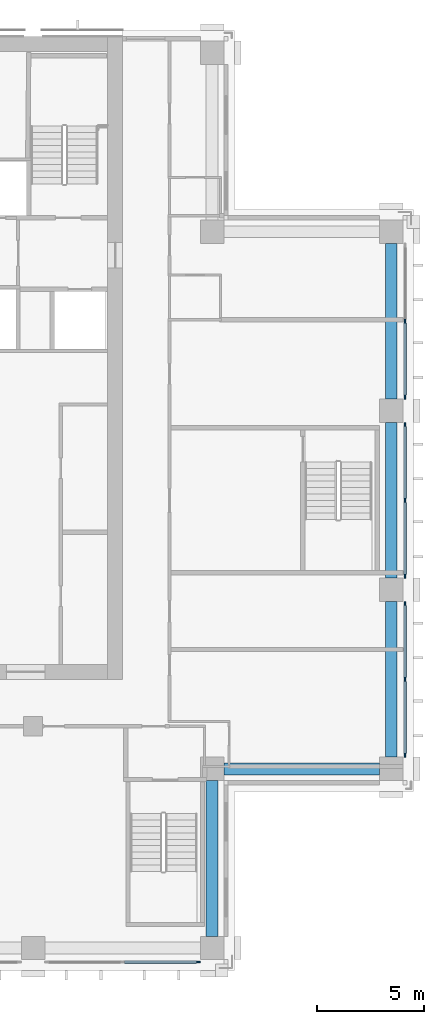
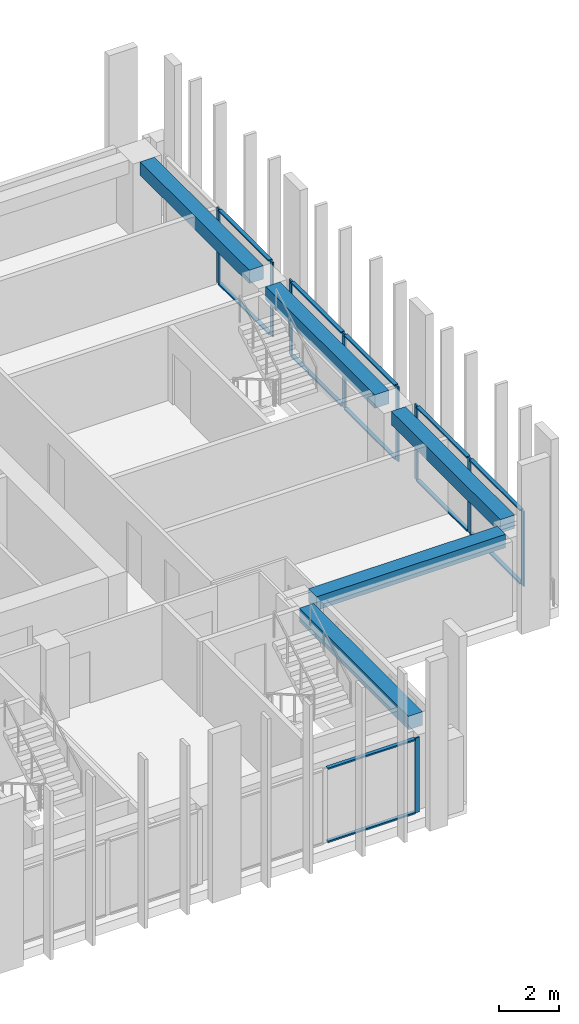
# One storey, part 5 of 16: 21 members, 5 beams, 4 elements without a shape of their own.
"""IFC4 building model written with IfcOpenShell, lengths in metres."""

from ifc_helpers import new_model, si_unit, direction, frame, origin, origin_2d, place, context, subcontext, project, spatial, rectangle, extrude, material, material_profile, profile_set, type_object, element, aggregate, save


model = new_model("IFC4")

# Units and contexts
model_context = context("Model", 3, precision=1e-05, world=origin(), true_north=direction((0.0, 1.0)))
body_context = subcontext(model_context, "Body", "Model", "MODEL_VIEW")
ifc_project = project(units=[si_unit("LENGTHUNIT", "METRE"), si_unit("AREAUNIT", "SQUARE_METRE"), si_unit("VOLUMEUNIT", "CUBIC_METRE"), si_unit("PLANEANGLEUNIT", "RADIAN"), si_unit("MASSUNIT", "GRAM", prefix="KILO")], contexts=[model_context])

# Site, building, storey
site_placement = place(None, origin())
site = spatial("IfcSite", under=ifc_project, at=site_placement, CompositionType="ELEMENT")
building_placement = place(site_placement, origin())
building = spatial("IfcBuilding", under=site, at=building_placement, Name="Vermilion Ogive Tower", CompositionType="ELEMENT")
storey_placement = place(building_placement, frame((0.0, 0.0, 143.449951171875)))
storey = spatial("IfcBuildingStorey", under=building, at=storey_placement, Name="L36", CompositionType="ELEMENT", Elevation=143.449951171875)

# Curtain wall, member
ifc_material_1 = material(Name="Low-iron laminated glazing in aluminium frame", Category="aluminium")
curtain_wall_type = type_object("IfcCurtainWallType", Name="Curtain wall CW7", PredefinedType="NOTDEFINED", material=ifc_material_1)
curtain_wall_1_placement = place(storey_placement, origin())
curtain_wall_1 = element("IfcCurtainWall", 1, at=curtain_wall_1_placement, inside=storey, type_object=curtain_wall_type, Name="Glazed skin S3", PredefinedType="NOTDEFINED")
ifc_material_2 = material(Name="Aluminium mullion", Category="aluminium")
ifc_material_profile_1 = material_profile(ifc_material_2, rectangle(XDim=0.06005859375, YDim=0.179931640625, at=origin_2d()), Name="AL 60x180")
ifc_profile_set_1 = profile_set([ifc_material_profile_1], Name="Aluminium mullion")
member_type_1 = type_object("IfcMemberType", Name="CW7 mullion 60x180", PredefinedType="MULLION", material=ifc_profile_set_1)
member_1_placement = place(storey_placement, frame((11.9599609375, -21.64990234375, 0.0), z_axis=(0.0, 0.0, 1.0), x_axis=(0.0, 1.0, 0.0)))
member_1 = element("IfcMember", 2, at=member_1_placement, type_object=member_type_1, Name="CW7-S3 mullion 3", PredefinedType="MULLION", context=body_context, shape_type="SweptSolid", body=[
    extrude(rectangle(XDim=0.06005859375, YDim=0.179931640625, at=origin_2d()), origin(), (0.0, 0.0, 1.0), 3.050048828125),
])

# Curtain wall, members
curtain_wall_2_placement = place(storey_placement, origin())
curtain_wall_2 = element("IfcCurtainWall", 3, at=curtain_wall_2_placement, inside=storey, type_object=curtain_wall_type, Name="Glazed skin E1", PredefinedType="NOTDEFINED")
member_2_placement = place(storey_placement, frame((21.64990234375, -11.9599609375, 0.0), z_axis=(0.0, 0.0, 1.0), x_axis=(-1.0, 0.0, 0.0)))
member_2 = element("IfcMember", 4, at=member_2_placement, type_object=member_type_1, Name="CW7-E1 mullion 1", PredefinedType="MULLION", context=body_context, shape_type="SweptSolid", body=[
    extrude(rectangle(XDim=0.06005859375, YDim=0.179931640625, at=origin_2d()), origin(), (0.0, 0.0, 1.0), 3.050048828125),
])
member_3_placement = place(storey_placement, frame((21.64990234375, -8.39990234375, 0.0), z_axis=(0.0, 0.0, 1.0), x_axis=(-1.0, 0.0, 0.0)))
member_3 = element("IfcMember", 5, at=member_3_placement, type_object=member_type_1, Name="CW7-E1 mullion 2", PredefinedType="MULLION", context=body_context, shape_type="SweptSolid", body=[
    extrude(rectangle(XDim=0.06005859375, YDim=0.179931640625, at=origin_2d()), origin(), (0.0, 0.0, 1.0), 3.050048828125),
])
member_4_placement = place(storey_placement, frame((21.64990234375, -4.840087890625, 0.0), z_axis=(0.0, 0.0, 1.0), x_axis=(-1.0, 0.0, 0.0)))
member_4 = element("IfcMember", 6, at=member_4_placement, type_object=member_type_1, Name="CW7-E1 mullion 3", PredefinedType="MULLION", context=body_context, shape_type="SweptSolid", body=[
    extrude(rectangle(XDim=0.06005859375, YDim=0.179931640625, at=origin_2d()), origin(), (0.0, 0.0, 1.0), 3.050048828125),
])

curtain_wall_3_placement = place(storey_placement, origin())
curtain_wall_3 = element("IfcCurtainWall", 7, at=curtain_wall_3_placement, inside=storey, type_object=curtain_wall_type, Name="Glazed skin E2", PredefinedType="NOTDEFINED")
member_5_placement = place(storey_placement, frame((21.64990234375, -3.56005859375, 0.0), z_axis=(0.0, 0.0, 1.0), x_axis=(-1.0, 0.0, 0.0)))
member_5 = element("IfcMember", 8, at=member_5_placement, type_object=member_type_1, Name="CW7-E2 mullion 1", PredefinedType="MULLION", context=body_context, shape_type="SweptSolid", body=[
    extrude(rectangle(XDim=0.06005859375, YDim=0.179931640625, at=origin_2d()), origin(), (0.0, 0.0, 1.0), 3.050048828125),
])
member_6_placement = place(storey_placement, frame((21.64990234375, 0.0, 0.0), z_axis=(0.0, 0.0, 1.0), x_axis=(-1.0, 0.0, 0.0)))
member_6 = element("IfcMember", 9, at=member_6_placement, type_object=member_type_1, Name="CW7-E2 mullion 2", PredefinedType="MULLION", context=body_context, shape_type="SweptSolid", body=[
    extrude(rectangle(XDim=0.06005859375, YDim=0.179931640625, at=origin_2d()), origin(), (0.0, 0.0, 1.0), 3.050048828125),
])
member_7_placement = place(storey_placement, frame((21.64990234375, 3.56005859375, 0.0), z_axis=(0.0, 0.0, 1.0), x_axis=(-1.0, 0.0, 0.0)))
member_7 = element("IfcMember", 10, at=member_7_placement, type_object=member_type_1, Name="CW7-E2 mullion 3", PredefinedType="MULLION", context=body_context, shape_type="SweptSolid", body=[
    extrude(rectangle(XDim=0.06005859375, YDim=0.179931640625, at=origin_2d()), origin(), (0.0, 0.0, 1.0), 3.050048828125),
])

curtain_wall_4_placement = place(storey_placement, origin())
curtain_wall_4 = element("IfcCurtainWall", 11, at=curtain_wall_4_placement, inside=storey, type_object=curtain_wall_type, Name="Glazed skin E3", PredefinedType="NOTDEFINED")
member_8_placement = place(storey_placement, frame((21.64990234375, 4.840087890625, 0.0), z_axis=(0.0, 0.0, 1.0), x_axis=(-1.0, 0.0, 0.0)))
member_8 = element("IfcMember", 12, at=member_8_placement, type_object=member_type_1, Name="CW7-E3 mullion 1", PredefinedType="MULLION", context=body_context, shape_type="SweptSolid", body=[
    extrude(rectangle(XDim=0.06005859375, YDim=0.179931640625, at=origin_2d()), origin(), (0.0, 0.0, 1.0), 3.050048828125),
])
member_9_placement = place(storey_placement, frame((21.64990234375, 8.39990234375, 0.0), z_axis=(0.0, 0.0, 1.0), x_axis=(-1.0, 0.0, 0.0)))
member_9 = element("IfcMember", 13, at=member_9_placement, type_object=member_type_1, Name="CW7-E3 mullion 2", PredefinedType="MULLION", context=body_context, shape_type="SweptSolid", body=[
    extrude(rectangle(XDim=0.06005859375, YDim=0.179931640625, at=origin_2d()), origin(), (0.0, 0.0, 1.0), 3.050048828125),
])

# Member
ifc_material_3 = material(Name="Aluminium transom", Category="aluminium")
ifc_material_profile_2 = material_profile(ifc_material_3, rectangle(XDim=0.139892578125, YDim=0.06005859375, at=origin_2d()), Name="AL 60x140")
ifc_profile_set_2 = profile_set([ifc_material_profile_2], Name="Aluminium transom")
member_type_2 = type_object("IfcMemberType", Name="CW7 transom 60x140", PredefinedType="USERDEFINED", material=ifc_profile_set_2)
member_10_placement = place(storey_placement, frame((8.489990234375, -21.64990234375, 0.030029296875), z_axis=(1.0, 0.0, 0.0), x_axis=(0.0, 1.0, 0.0)))
member_10 = element("IfcMember", 14, at=member_10_placement, type_object=member_type_2, Name="CW7-S3 transom 2.1", ObjectType="TRANSOM", PredefinedType="USERDEFINED", context=body_context, shape_type="SweptSolid", body=[
    extrude(rectangle(XDim=0.139892578125, YDim=0.06005859375, at=origin_2d()), origin(), (0.0, 0.0, 1.0), 3.380126953125),
])

member_11_placement = place(storey_placement, frame((8.489990234375, -21.64990234375, 3.02001953125), z_axis=(1.0, 0.0, 0.0), x_axis=(0.0, 1.0, 0.0)))
member_11 = element("IfcMember", 15, at=member_11_placement, type_object=member_type_2, Name="CW7-S3 transom 2.2", ObjectType="TRANSOM", PredefinedType="USERDEFINED", context=body_context, shape_type="SweptSolid", body=[
    extrude(rectangle(XDim=0.139892578125, YDim=0.06005859375, at=origin_2d()), origin(), (0.0, 0.0, 1.0), 3.380126953125),
])

aggregate(curtain_wall_1, [member_1, member_10, member_11])

member_12_placement = place(storey_placement, frame((21.64990234375, -11.8701171875, 0.030029296875), z_axis=(0.0, 1.0, 0.0), x_axis=(-1.0, 0.0, 0.0)))
member_12 = element("IfcMember", 16, at=member_12_placement, type_object=member_type_2, Name="CW7-E1 transom 1.1", ObjectType="TRANSOM", PredefinedType="USERDEFINED", context=body_context, shape_type="SweptSolid", body=[
    extrude(rectangle(XDim=0.139892578125, YDim=0.06005859375, at=origin_2d()), origin(), (0.0, 0.0, 1.0), 3.380126953125),
])

member_13_placement = place(storey_placement, frame((21.64990234375, -11.8701171875, 3.02001953125), z_axis=(0.0, 1.0, 0.0), x_axis=(-1.0, 0.0, 0.0)))
member_13 = element("IfcMember", 17, at=member_13_placement, type_object=member_type_2, Name="CW7-E1 transom 1.2", ObjectType="TRANSOM", PredefinedType="USERDEFINED", context=body_context, shape_type="SweptSolid", body=[
    extrude(rectangle(XDim=0.139892578125, YDim=0.06005859375, at=origin_2d()), origin(), (0.0, 0.0, 1.0), 3.380126953125),
])

member_14_placement = place(storey_placement, frame((21.64990234375, -8.31005859375, 0.030029296875), z_axis=(0.0, 1.0, 0.0), x_axis=(-1.0, 0.0, 0.0)))
member_14 = element("IfcMember", 18, at=member_14_placement, type_object=member_type_2, Name="CW7-E1 transom 2.1", ObjectType="TRANSOM", PredefinedType="USERDEFINED", context=body_context, shape_type="SweptSolid", body=[
    extrude(rectangle(XDim=0.139892578125, YDim=0.06005859375, at=origin_2d()), origin(), (0.0, 0.0, 1.0), 3.380126953125),
])

member_15_placement = place(storey_placement, frame((21.64990234375, -8.31005859375, 3.02001953125), z_axis=(0.0, 1.0, 0.0), x_axis=(-1.0, 0.0, 0.0)))
member_15 = element("IfcMember", 19, at=member_15_placement, type_object=member_type_2, Name="CW7-E1 transom 2.2", ObjectType="TRANSOM", PredefinedType="USERDEFINED", context=body_context, shape_type="SweptSolid", body=[
    extrude(rectangle(XDim=0.139892578125, YDim=0.06005859375, at=origin_2d()), origin(), (0.0, 0.0, 1.0), 3.380126953125),
])

aggregate(curtain_wall_2, [member_2, member_3, member_4, member_12, member_13, member_14, member_15])

member_16_placement = place(storey_placement, frame((21.64990234375, -3.469970703125, 0.030029296875), z_axis=(0.0, 1.0, 0.0), x_axis=(-1.0, 0.0, 0.0)))
member_16 = element("IfcMember", 20, at=member_16_placement, type_object=member_type_2, Name="CW7-E2 transom 1.1", ObjectType="TRANSOM", PredefinedType="USERDEFINED", context=body_context, shape_type="SweptSolid", body=[
    extrude(rectangle(XDim=0.139892578125, YDim=0.06005859375, at=origin_2d()), origin(), (0.0, 0.0, 1.0), 3.3798828125),
])

member_17_placement = place(storey_placement, frame((21.64990234375, -3.469970703125, 3.02001953125), z_axis=(0.0, 1.0, 0.0), x_axis=(-1.0, 0.0, 0.0)))
member_17 = element("IfcMember", 21, at=member_17_placement, type_object=member_type_2, Name="CW7-E2 transom 1.2", ObjectType="TRANSOM", PredefinedType="USERDEFINED", context=body_context, shape_type="SweptSolid", body=[
    extrude(rectangle(XDim=0.139892578125, YDim=0.06005859375, at=origin_2d()), origin(), (0.0, 0.0, 1.0), 3.3798828125),
])

member_18_placement = place(storey_placement, frame((21.64990234375, 0.090087890625, 0.030029296875), z_axis=(0.0, 1.0, 0.0), x_axis=(-1.0, 0.0, 0.0)))
member_18 = element("IfcMember", 22, at=member_18_placement, type_object=member_type_2, Name="CW7-E2 transom 2.1", ObjectType="TRANSOM", PredefinedType="USERDEFINED", context=body_context, shape_type="SweptSolid", body=[
    extrude(rectangle(XDim=0.139892578125, YDim=0.06005859375, at=origin_2d()), origin(), (0.0, 0.0, 1.0), 3.3798828125),
])

member_19_placement = place(storey_placement, frame((21.64990234375, 0.090087890625, 3.02001953125), z_axis=(0.0, 1.0, 0.0), x_axis=(-1.0, 0.0, 0.0)))
member_19 = element("IfcMember", 23, at=member_19_placement, type_object=member_type_2, Name="CW7-E2 transom 2.2", ObjectType="TRANSOM", PredefinedType="USERDEFINED", context=body_context, shape_type="SweptSolid", body=[
    extrude(rectangle(XDim=0.139892578125, YDim=0.06005859375, at=origin_2d()), origin(), (0.0, 0.0, 1.0), 3.3798828125),
])

aggregate(curtain_wall_3, [member_5, member_6, member_7, member_16, member_17, member_18, member_19])

member_20_placement = place(storey_placement, frame((21.64990234375, 4.929931640625, 0.030029296875), z_axis=(0.0, 1.0, 0.0), x_axis=(-1.0, 0.0, 0.0)))
member_20 = element("IfcMember", 24, at=member_20_placement, type_object=member_type_2, Name="CW7-E3 transom 1.1", ObjectType="TRANSOM", PredefinedType="USERDEFINED", context=body_context, shape_type="SweptSolid", body=[
    extrude(rectangle(XDim=0.139892578125, YDim=0.06005859375, at=origin_2d()), origin(), (0.0, 0.0, 1.0), 3.380126953125),
])

member_21_placement = place(storey_placement, frame((21.64990234375, 4.929931640625, 3.02001953125), z_axis=(0.0, 1.0, 0.0), x_axis=(-1.0, 0.0, 0.0)))
member_21 = element("IfcMember", 25, at=member_21_placement, type_object=member_type_2, Name="CW7-E3 transom 1.2", ObjectType="TRANSOM", PredefinedType="USERDEFINED", context=body_context, shape_type="SweptSolid", body=[
    extrude(rectangle(XDim=0.139892578125, YDim=0.06005859375, at=origin_2d()), origin(), (0.0, 0.0, 1.0), 3.380126953125),
])

aggregate(curtain_wall_4, [member_8, member_9, member_20, member_21])

# Beams
ifc_material_4 = material(Name="Concrete B45", Category="concrete")
ifc_material_profile_3 = material_profile(ifc_material_4, rectangle(XDim=0.550048828125, YDim=0.550048828125, at=origin_2d()), Name="550 x 550")
ifc_profile_set_3 = profile_set([ifc_material_profile_3], Name="Concrete B45")
beam_type = type_object("IfcBeamType", Name="Edge beam 550 x 550 B45", PredefinedType="BEAM", material=ifc_profile_set_3)
for number, where, z_axis, x_axis, name in (
    (26, (12.60009765625, -20.449951171875, 2.775146484375), (0.0, 1.0, 0.0), (-1.0, 0.0, 0.0), "L36-EB-4"),
    (27, (13.14990234375, -12.60009765625, 2.775146484375), (1.0, 0.0, 0.0), (0.0, 1.0, 0.0), "L36-EB-5"),
    (28, (21.0, -12.050048828125, 2.775146484375), (0.0, 1.0, 0.0), (-1.0, 0.0, 0.0), "L36-EB-6"),
):
    element("IfcBeam", number, at=place(storey_placement, frame(where, z_axis=z_axis, x_axis=x_axis)), inside=storey, type_object=beam_type, Name=name, PredefinedType="BEAM", context=body_context, shape_type="SweptSolid", body=[
        extrude(rectangle(XDim=0.550048828125, YDim=0.550048828125, at=origin_2d()), origin(), (0.0, 0.0, 1.0), 7.300048828125),
    ])
beam_1_placement = place(storey_placement, frame((21.0, -3.64990234375, 2.775146484375), z_axis=(0.0, 1.0, 0.0), x_axis=(-1.0, 0.0, 0.0)))
element("IfcBeam", 29, at=beam_1_placement, inside=storey, type_object=beam_type, Name="L36-EB-7", PredefinedType="BEAM", context=body_context, shape_type="SweptSolid", body=[
    extrude(rectangle(XDim=0.550048828125, YDim=0.550048828125, at=origin_2d()), origin(), (0.0, 0.0, 1.0), 7.2998046875),
])
beam_2_placement = place(storey_placement, frame((21.0, 4.75, 2.775146484375), z_axis=(0.0, 1.0, 0.0), x_axis=(-1.0, 0.0, 0.0)))
element("IfcBeam", 30, at=beam_2_placement, inside=storey, type_object=beam_type, Name="L36-EB-8", PredefinedType="BEAM", context=body_context, shape_type="SweptSolid", body=[
    extrude(rectangle(XDim=0.550048828125, YDim=0.550048828125, at=origin_2d()), origin(), (0.0, 0.0, 1.0), 7.300048828125),
])

save(model, "model.ifc")
